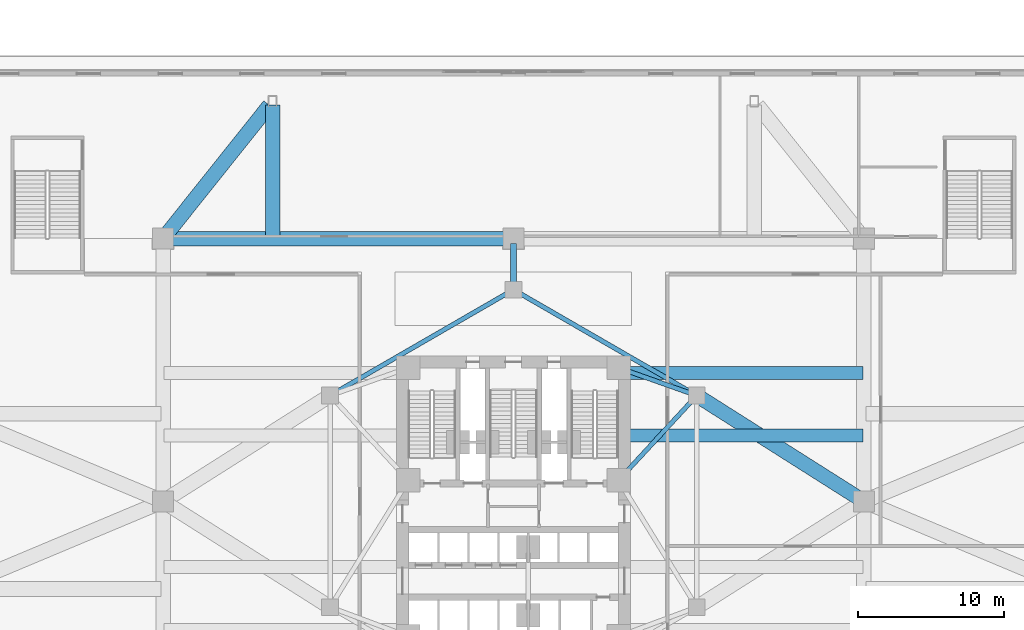
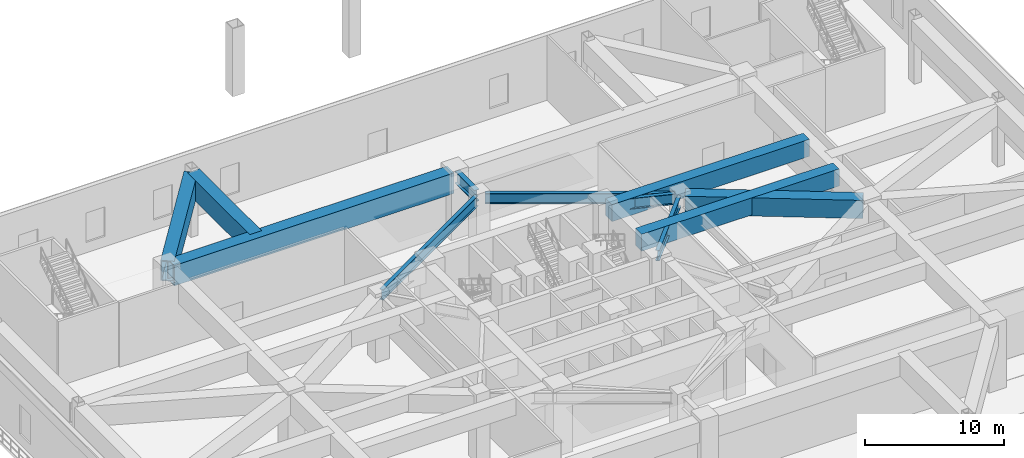
# One storey, part 7 of 25: 11 beams.
"""IFC4 building model written with IfcOpenShell, lengths in metres."""

from ifc_helpers import new_model, si_unit, direction, frame, origin, origin_2d, place, context, subcontext, project, spatial, rectangle, hollow_rectangle, i_section, extrude, material, material_profile, profile_set, type_object, element, save


model = new_model("IFC4")

# Units and contexts
model_context = context("Model", 3, precision=1e-05, world=origin(), true_north=direction((0.0, 1.0)))
body_context = subcontext(model_context, "Body", "Model", "MODEL_VIEW")
ifc_project = project(units=[si_unit("LENGTHUNIT", "METRE"), si_unit("AREAUNIT", "SQUARE_METRE"), si_unit("VOLUMEUNIT", "CUBIC_METRE"), si_unit("PLANEANGLEUNIT", "RADIAN"), si_unit("MASSUNIT", "GRAM", prefix="KILO")], contexts=[model_context])

# Site, building, storey
site_placement = place(None, origin())
site = spatial("IfcSite", under=ifc_project, at=site_placement, CompositionType="ELEMENT")
building_placement = place(site_placement, origin())
building = spatial("IfcBuilding", under=site, at=building_placement, Name="Apsidion Concourse Tower", CompositionType="ELEMENT")
storey_placement = place(building_placement, frame((0.0, 0.0, 11.5)))
storey = spatial("IfcBuildingStorey", under=building, at=storey_placement, Name="L02", CompositionType="ELEMENT", Elevation=11.5)

# Beams
ifc_material_1 = material(Name="Structural steel ASTM A992 Grade 50", Category="steel")
ifc_material_profile_1 = material_profile(ifc_material_1, i_section(OverallWidth=0.31005859375, OverallDepth=0.931884765625, WebThickness=0.02099609375, FlangeThickness=0.034423828125, at=origin_2d()), Name="W36X210")
ifc_profile_set_1 = profile_set([ifc_material_profile_1], Name="Structural steel ASTM A992 Grade 50")
beam_type_1 = type_object("IfcBeamType", Name="BM-G-W36", PredefinedType="USERDEFINED", material=ifc_profile_set_1)
beam_1_placement = place(storey_placement, frame((12.28857421875, 6.956298828125, 5.23388671875), z_axis=(-0.678712876106, -0.73440372535, 0.0), x_axis=(0.73440372535, -0.678712876106, 0.0)))
element("IfcBeam", 1, at=beam_1_placement, inside=storey, type_object=beam_type_1, Name="L02 Core Coupling Girder IC3-SC3", ObjectType="GIRDER", PredefinedType="USERDEFINED", context=body_context, shape_type="SweptSolid", body=[
    extrude(i_section(OverallWidth=0.31005859375, OverallDepth=0.931884765625, WebThickness=0.02099609375, FlangeThickness=0.034423828125, at=origin_2d()), origin(), (0.0, 0.0, 1.0), 7.097412109375),
])
beam_2_placement = place(storey_placement, frame((12.18310546875, 7.383544921875, 5.23388671875), z_axis=(-0.942533844539, 0.334110688094, 0.0), x_axis=(-0.334110688094, -0.942533844539, 0.0)))
element("IfcBeam", 2, at=beam_2_placement, inside=storey, type_object=beam_type_1, Name="L02 Core Coupling Girder IC3-SC4", ObjectType="GIRDER", PredefinedType="USERDEFINED", context=body_context, shape_type="SweptSolid", body=[
    extrude(i_section(OverallWidth=0.31005859375, OverallDepth=0.931884765625, WebThickness=0.02099609375, FlangeThickness=0.034423828125, at=origin_2d()), origin(), (0.0, 0.0, 1.0), 4.886962890625),
])
for number, where, z_axis, x_axis, name in (
    (3, (-12.213623046875, 7.449951171875, 5.23388671875), (0.866070471464, 0.499921932364, 0.0), (-0.499921932364, 0.866070471464, 0.0), "L02 Core Coupling Girder IC5-IC4"),
    (4, (0.346435546875, 14.300048828125, 5.23388671875), (0.866070471464, -0.499921932364, 0.0), (0.499921932364, 0.866070471464, 0.0), "L02 Core Coupling Girder IC4-IC3"),
):
    element("IfcBeam", number, at=place(storey_placement, frame(where, z_axis=z_axis, x_axis=x_axis)), inside=storey, type_object=beam_type_1, Name=name, ObjectType="GIRDER", PredefinedType="USERDEFINED", context=body_context, shape_type="SweptSolid", body=[
        extrude(i_section(OverallWidth=0.31005859375, OverallDepth=0.931884765625, WebThickness=0.02099609375, FlangeThickness=0.034423828125, at=origin_2d()), origin(), (0.0, 0.0, 1.0), 13.702392578125),
    ])
ifc_material_profile_2 = material_profile(ifc_material_1, i_section(OverallWidth=0.408935546875, OverallDepth=1.041015625, WebThickness=0.031005859375, FlangeThickness=0.055908203125, at=origin_2d()), Name="W40X397")
ifc_profile_set_2 = profile_set([ifc_material_profile_2], Name="Structural steel ASTM A992 Grade 50")
beam_type_2 = type_object("IfcBeamType", Name="BM-G-W40H", PredefinedType="USERDEFINED", material=ifc_profile_set_2)
beam_3_placement = place(storey_placement, frame((0.0, 17.64990234375, 5.179443359375), z_axis=(0.0, -1.0, 0.0), x_axis=(1.0, 0.0, 0.0)))
element("IfcBeam", 5, at=beam_3_placement, inside=storey, type_object=beam_type_2, Name="L02 Podium Girder MC8-IC4", ObjectType="GIRDER", PredefinedType="USERDEFINED", context=body_context, shape_type="SweptSolid", body=[
    extrude(i_section(OverallWidth=0.408935546875, OverallDepth=1.041015625, WebThickness=0.031005859375, FlangeThickness=0.055908203125, at=origin_2d()), origin(), (0.0, 0.0, 1.0), 2.7998046875),
])
ifc_material_2 = material(Name="Concrete C50/60", Category="concrete")
ifc_material_profile_3 = material_profile(ifc_material_2, rectangle(XDim=0.89990234375, YDim=1.5, at=origin_2d()), Name="RC 900x1500")
ifc_profile_set_3 = profile_set([ifc_material_profile_3], Name="Concrete C50/60")
beam_type_3 = type_object("IfcBeamType", Name="BM-TB-RC15", PredefinedType="T_BEAM", material=ifc_profile_set_3)
for number, where, z_axis, x_axis, name in (
    (6, (7.5, 4.5, 4.949951171875), (1.0, 0.0, 0.0), (0.0, 1.0, 0.0), "L02 Convention Long-Span Tee Beam E3"),
    (7, (7.5, 8.800048828125, 4.949951171875), (1.0, 0.0, 0.0), (0.0, 1.0, 0.0), "L02 Convention Long-Span Tee Beam E4"),
):
    element("IfcBeam", number, at=place(storey_placement, frame(where, z_axis=z_axis, x_axis=x_axis)), inside=storey, type_object=beam_type_3, Name=name, PredefinedType="T_BEAM", context=body_context, shape_type="SweptSolid", body=[
        extrude(rectangle(XDim=0.89990234375, YDim=1.5, at=origin_2d()), origin(), (0.0, 0.0, 1.0), 16.449951171875),
    ])
ifc_material_3 = material(Name="Structural steel ASTM A572 Grade 50", Category="steel")
ifc_material_profile_4 = material_profile(ifc_material_3, hollow_rectangle(XDim=1.0, YDim=1.60009765625, WallThickness=0.074951171875, at=origin_2d()), Name="BOX1600X1000X75")
ifc_profile_set_4 = profile_set([ifc_material_profile_4], Name="Structural steel ASTM A572 Grade 50")
beam_type_4 = type_object("IfcBeamType", Name="BM-TR-1600", PredefinedType="USERDEFINED", material=ifc_profile_set_4)
beam_4_placement = place(storey_placement, frame((23.704345703125, 0.1875, 4.89990234375), z_axis=(-0.844671254714, 0.535285411215, 0.0), x_axis=(-0.535285411215, -0.844671254714, 0.0)))
element("IfcBeam", 8, at=beam_4_placement, inside=storey, type_object=beam_type_4, Name="L02 Podium Girder MC4-IC3", ObjectType="GIRDER", PredefinedType="USERDEFINED", context=body_context, shape_type="SweptSolid", body=[
    extrude(hollow_rectangle(XDim=1.0, YDim=1.60009765625, WallThickness=0.074951171875, at=origin_2d()), origin(), (0.0, 0.0, 1.0), 12.843505859375),
])
ifc_material_profile_5 = material_profile(ifc_material_3, hollow_rectangle(XDim=1.0, YDim=1.800048828125, WallThickness=0.080078125, at=origin_2d()), Name="BOX1800X1000X80")
ifc_profile_set_5 = profile_set([ifc_material_profile_5], Name="Structural steel ASTM A572 Grade 50")
beam_type_5 = type_object("IfcBeamType", Name="BM-TR-1800", PredefinedType="USERDEFINED", material=ifc_profile_set_5)
beam_5_placement = place(storey_placement, frame((-23.64990234375, 18.0, 4.800048828125), z_axis=(1.0, 0.0, 0.0), x_axis=(0.0, 1.0, 0.0)))
element("IfcBeam", 9, at=beam_5_placement, inside=storey, type_object=beam_type_5, Name="L02 Podium Transfer Collector Girder MC5-MC8", ObjectType="GIRDER", PredefinedType="USERDEFINED", context=body_context, shape_type="SweptSolid", body=[
    extrude(hollow_rectangle(XDim=1.0, YDim=1.800048828125, WallThickness=0.080078125, at=origin_2d()), origin(), (0.0, 0.0, 1.0), 23.2998046875),
])
beam_6_placement = place(storey_placement, frame((-16.5, 27.14990234375, 4.800048828125), z_axis=(0.0, -1.0, 0.0), x_axis=(1.0, 0.0, 0.0)))
element("IfcBeam", 10, at=beam_6_placement, inside=storey, type_object=beam_type_5, Name="L02 Podium Radial Frame Girder PC11", ObjectType="GIRDER", PredefinedType="USERDEFINED", context=body_context, shape_type="SweptSolid", body=[
    extrude(hollow_rectangle(XDim=1.0, YDim=1.800048828125, WallThickness=0.080078125, at=origin_2d()), origin(), (0.0, 0.0, 1.0), 9.0),
])
beam_7_placement = place(storey_placement, frame((-16.71826171875, 27.12646484375, 4.800048828125), z_axis=(-0.623685030382, -0.781675753031, 0.0), x_axis=(0.781675753031, -0.623685030382, 0.0)))
element("IfcBeam", 11, at=beam_7_placement, inside=storey, type_object=beam_type_5, Name="L02 Podium Diagonal Frame Tie PC11", ObjectType="GIRDER", PredefinedType="USERDEFINED", context=body_context, shape_type="SweptSolid", body=[
    extrude(hollow_rectangle(XDim=1.0, YDim=1.800048828125, WallThickness=0.080078125, at=origin_2d()), origin(), (0.0, 0.0, 1.0), 11.325439453125),
])

save(model, "model.ifc")
